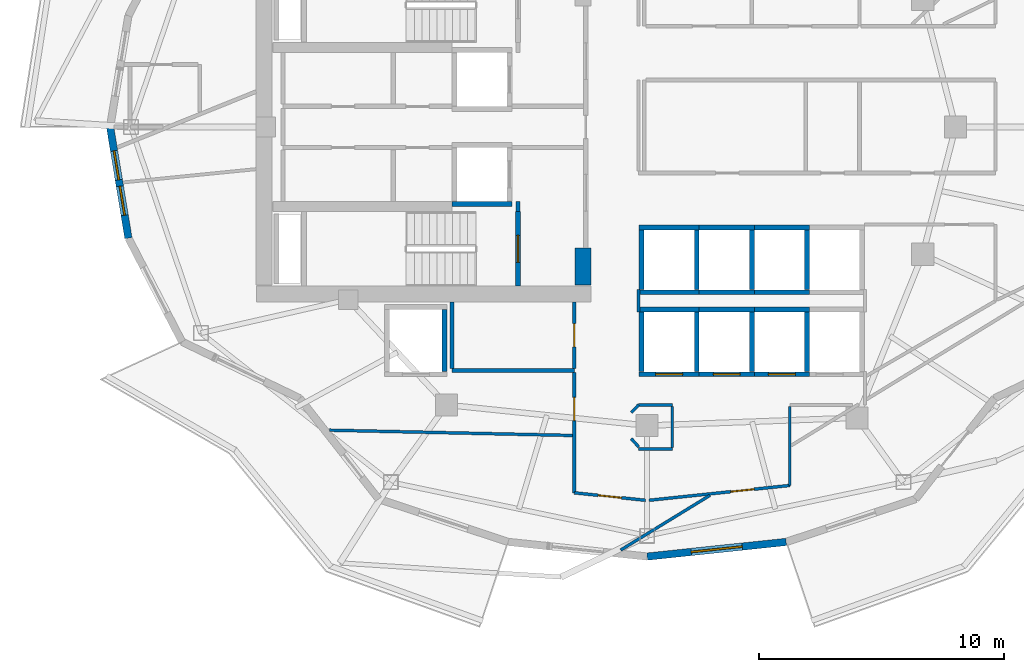
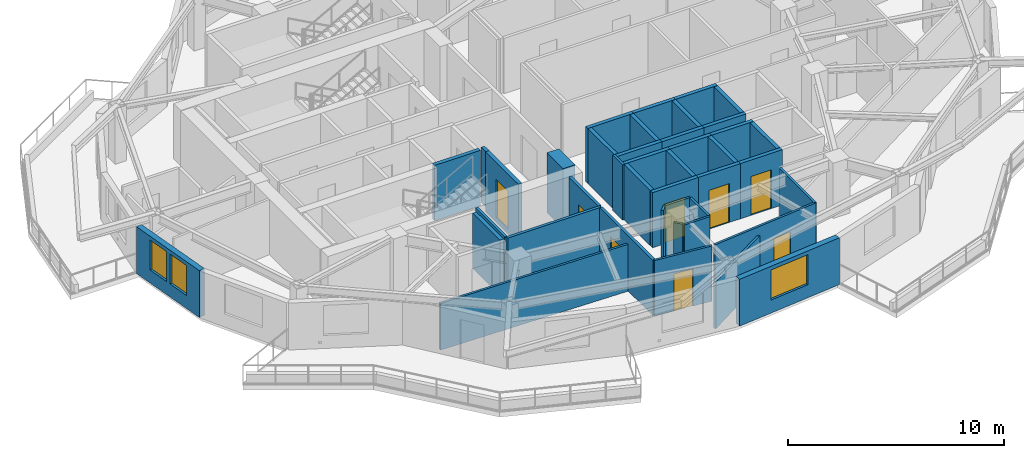
# One storey, part 3 of 10: 42 walls, 8 doors, 3 windows, 11 openings.
"""IFC4 building model written with IfcOpenShell, lengths in metres."""

from ifc_helpers import new_model, si_unit, direction, frame, frame_2d, origin, place, context, subcontext, project, spatial, rectangle, extrude, material, layer, layer_set, type_object, element, fill, save


model = new_model("IFC4")

# Units and contexts
model_context = context("Model", 3, precision=1e-05, world=origin(), true_north=direction((0.0, 1.0)))
body_context = subcontext(model_context, "Body", "Model", "MODEL_VIEW")
ifc_project = project(units=[si_unit("LENGTHUNIT", "METRE"), si_unit("AREAUNIT", "SQUARE_METRE"), si_unit("VOLUMEUNIT", "CUBIC_METRE"), si_unit("PLANEANGLEUNIT", "RADIAN"), si_unit("MASSUNIT", "GRAM", prefix="KILO")], contexts=[model_context])

# Site, building, storey
site_placement = place(None, origin())
site = spatial("IfcSite", under=ifc_project, at=site_placement, CompositionType="ELEMENT")
building_placement = place(site_placement, origin())
building = spatial("IfcBuilding", under=site, at=building_placement, Name="Kolvaren Gate Tower and Convention Centre", CompositionType="ELEMENT")
storey_placement = place(building_placement, frame((0.0, 0.0, 146.10009765625)))
storey = spatial("IfcBuildingStorey", under=building, at=storey_placement, Name="L37", CompositionType="ELEMENT", Elevation=146.10009765625)

# Walls
ifc_material_1 = material(Name="Autoclaved Aerated Masonry Blockwork Class 4 (4.0 MPa)", Category="masonry")
ifc_layer_1 = layer(ifc_material_1, 0.179931640625)
ifc_layer_set_1 = layer_set([ifc_layer_1], Name="Autoclaved Aerated Masonry Blockwork Class 4 (4.0 MPa)")
wall_type_1 = type_object("IfcWallType", Name="ARCH-WL-COMP-180", PredefinedType="SOLIDWALL", material=ifc_layer_set_1)
wall_1_placement = place(storey_placement, frame((24.85009765625, 23.5400390625, 0.0), z_axis=(0.0, 0.0, 1.0), x_axis=(0.0, 1.0, 0.0)))
element("IfcWall", 1, at=wall_1_placement, inside=storey, type_object=wall_type_1, Name="Interior Partition WL-L37-INT-001", PredefinedType="SOLIDWALL", context=body_context, shape_type="SweptSolid", body=[
    extrude(rectangle(XDim=0.419921875, YDim=0.179931640625, at=frame_2d((0.2099609375, 0.0))), origin(), (0.0, 0.0, 1.0), 3.1298828125),
])
ifc_material_2 = material(Name="Fire-Rated Acoustic Gypsum Stud Partition", Category="gypsum")
ifc_layer_2 = layer(ifc_material_2, 0.1201171875)
ifc_layer_set_2 = layer_set([ifc_layer_2], Name="Fire-Rated Acoustic Gypsum Stud Partition")
wall_type_2 = type_object("IfcWallType", Name="ARCH-WL-PART-120", PredefinedType="PARTITIONING", material=ifc_layer_set_2)
wall_2_placement = place(storey_placement, frame((29.780029296875, 15.64990234375, 0.0), z_axis=(0.0, 0.0, 1.0), x_axis=(1.0, 0.0, 0.0)))
element("IfcWall", 2, at=wall_2_placement, inside=storey, type_object=wall_type_2, Name="Interior Partition WL-L37-INT-024", PredefinedType="PARTITIONING", context=body_context, shape_type="SweptSolid", body=[
    extrude(rectangle(XDim=1.369873046875, YDim=0.1201171875, at=frame_2d((0.68505859375, 0.0))), origin(), (0.0, 0.0, 1.0), 3.1298828125),
])
wall_3_placement = place(storey_placement, frame((35.949951171875, 12.35595703125, 0.0), z_axis=(0.0, 0.0, 1.0), x_axis=(0.0, 1.0, 0.0)))
element("IfcWall", 3, at=wall_3_placement, inside=storey, type_object=wall_type_2, Name="Interior Partition WL-L37-INT-026", PredefinedType="PARTITIONING", context=body_context, shape_type="SweptSolid", body=[
    extrude(rectangle(XDim=3.23193359375, YDim=0.1201171875, at=frame_2d((1.615966796875, 0.0))), origin(), (0.0, 0.0, 1.0), 3.1298828125),
])

# Wall, opening, door
wall_4_placement = place(storey_placement, frame((30.195068359375, 11.75, 0.0), z_axis=(0.0, 0.0, 1.0), x_axis=(0.994502215954, 0.104715531139, 0.0)))
wall_4 = element("IfcWall", 4, at=wall_4_placement, inside=storey, type_object=wall_type_2, Name="Interior Partition WL-L37-INT-027", PredefinedType="PARTITIONING", context=body_context, shape_type="SweptSolid", body=[
    extrude(rectangle(XDim=5.78662109375, YDim=0.1201171875, at=frame_2d((2.893310546875, 0.0))), origin(), (0.0, 0.0, 1.0), 3.1298828125),
])
opening_1_placement = place(wall_4_placement, frame((3.369140625, 0.0, 0.0)))
opening_1 = element("IfcOpeningElement", 5, at=opening_1_placement, cuts=wall_4, Name="Opening DR-01", PredefinedType="OPENING", context=body_context, shape_type="SweptSolid", body=[
    extrude(rectangle(XDim=0.949951171875, YDim=2.10009765625, at=frame_2d((0.47509765625, 1.050048828125))), frame((0.0, 0.070068359375, 0.0), z_axis=(0.0, -1.0, 0.0), x_axis=(1.0, 0.0, 0.0)), (0.0, 0.0, 1.0), 0.14013671875),
])
ifc_material_3 = material(Name="Painted Architectural Steelwork ASTM A500 Grade C 345 MPa", Category="steel")
door_type_1 = type_object("IfcDoorType", Name="ARCH-DR-RISER-950", OperationType="SINGLE_SWING_RIGHT", PredefinedType="DOOR", material=ifc_material_3)
door_1_placement = place(opening_1_placement, origin())
door_1 = element("IfcDoor", 6, at=door_1_placement, inside=storey, type_object=door_type_1, Name="Banquet Catering Kitchen Door", OperationType="SINGLE_SWING_LEFT", OverallHeight=2.10009765625, OverallWidth=0.949951171875, PredefinedType="DOOR", context=body_context, shape_type="SweptSolid", body=[
    extrude(rectangle(XDim=0.949951171875, YDim=2.10009765625, at=frame_2d((0.47509765625, 1.050048828125))), frame((0.0, 0.02490234375, 0.0), z_axis=(0.0, -1.0, 0.0), x_axis=(1.0, 0.0, 0.0)), (0.0, 0.0, 1.0), 0.050048828125),
])
fill(opening_1, door_1)

wall_5_placement = place(storey_placement, frame((27.14990234375, 12.055908203125, 0.0), z_axis=(0.0, 0.0, 1.0), x_axis=(0.994501330468, -0.104723940422, 0.0)))
wall_5 = element("IfcWall", 7, at=wall_5_placement, inside=storey, type_object=wall_type_2, Name="Interior Partition WL-L37-INT-028", PredefinedType="PARTITIONING", context=body_context, shape_type="SweptSolid", body=[
    extrude(rectangle(XDim=2.921142578125, YDim=0.1201171875, at=frame_2d((1.46044921875, 0.0))), origin(), (0.0, 0.0, 1.0), 3.1298828125),
])
opening_2_placement = place(wall_5_placement, frame((0.985595703125, 0.0, 0.0)))
opening_2 = element("IfcOpeningElement", 8, at=opening_2_placement, cuts=wall_5, Name="Opening DR-01", PredefinedType="OPENING", context=body_context, shape_type="SweptSolid", body=[
    extrude(rectangle(XDim=0.949951171875, YDim=2.10009765625, at=frame_2d((0.47509765625, 1.050048828125))), frame((0.0, 0.070068359375, 0.0), z_axis=(0.0, -1.0, 0.0), x_axis=(1.0, 0.0, 0.0)), (0.0, 0.0, 1.0), 0.14013671875),
])
door_2_placement = place(opening_2_placement, origin())
door_2 = element("IfcDoor", 9, at=door_2_placement, inside=storey, type_object=door_type_1, Name="Banquet Tasting Pantry Door", OperationType="SINGLE_SWING_RIGHT", OverallHeight=2.10009765625, OverallWidth=0.949951171875, PredefinedType="DOOR", context=body_context, shape_type="SweptSolid", body=[
    extrude(rectangle(XDim=0.949951171875, YDim=2.10009765625, at=frame_2d((0.47509765625, 1.050048828125))), frame((0.0, 0.02490234375, 0.0), z_axis=(0.0, -1.0, 0.0), x_axis=(1.0, 0.0, 0.0)), (0.0, 0.0, 1.0), 0.050048828125),
])
fill(opening_2, door_2)

# Walls
wall_6_placement = place(storey_placement, frame((29.780029296875, 19.43994140625, 0.0), z_axis=(0.0, 0.0, 1.0), x_axis=(0.0, 1.0, 0.0)))
element("IfcWall", 10, at=wall_6_placement, inside=storey, type_object=wall_type_2, Name="Interior Partition WL-L37-INT-031", PredefinedType="PARTITIONING", context=body_context, shape_type="SweptSolid", body=[
    extrude(rectangle(XDim=0.920166015625, YDim=0.1201171875, at=frame_2d((0.4599609375, 0.0))), origin(), (0.0, 0.0, 1.0), 3.1298828125),
])
wall_7_placement = place(storey_placement, frame((29.47607421875, 15.3330078125, 0.0), z_axis=(0.0, 0.0, 1.0), x_axis=(0.692219273951, 0.721687243043, 0.0)))
element("IfcWall", 11, at=wall_7_placement, inside=storey, type_object=wall_type_2, Name="Interior Partition WL-L37-INT-047", PredefinedType="PARTITIONING", context=body_context, shape_type="SweptSolid", body=[
    extrude(rectangle(XDim=0.439208984375, YDim=0.1201171875, at=frame_2d((0.2197265625, 0.0))), origin(), (0.0, 0.0, 1.0), 3.1298828125),
])
wall_8_placement = place(storey_placement, frame((29.47607421875, 14.26708984375, 0.0), z_axis=(0.0, 0.0, 1.0), x_axis=(0.670659392016, -0.741765448037, 0.0)))
element("IfcWall", 12, at=wall_8_placement, inside=storey, type_object=wall_type_2, Name="Interior Partition WL-L37-INT-048", PredefinedType="PARTITIONING", context=body_context, shape_type="SweptSolid", body=[
    extrude(rectangle(XDim=0.453125, YDim=0.1201171875, at=frame_2d((0.2265625, 0.0))), origin(), (0.0, 0.0, 1.0), 3.1298828125),
])
wall_9_placement = place(storey_placement, frame((29.780029296875, 13.85009765625, 0.0), z_axis=(0.0, 0.0, 1.0), x_axis=(1.0, 0.0, 0.0)))
element("IfcWall", 13, at=wall_9_placement, inside=storey, type_object=wall_type_2, Name="Interior Partition WL-L37-INT-049", PredefinedType="PARTITIONING", context=body_context, shape_type="SweptSolid", body=[
    extrude(rectangle(XDim=1.369873046875, YDim=0.1201171875, at=frame_2d((0.68505859375, 0.0))), origin(), (0.0, 0.0, 1.0), 3.1298828125),
])
wall_10_placement = place(storey_placement, frame((31.14990234375, 13.912109375, 0.0), z_axis=(0.0, 0.0, 1.0), x_axis=(0.0, 1.0, 0.0)))
element("IfcWall", 14, at=wall_10_placement, inside=storey, type_object=wall_type_2, Name="Interior Partition WL-L37-INT-050", PredefinedType="PARTITIONING", context=body_context, shape_type="SweptSolid", body=[
    extrude(rectangle(XDim=1.67578125, YDim=0.1201171875, at=frame_2d((0.837890625, 0.0))), origin(), (0.0, 0.0, 1.0), 3.1298828125),
])
wall_11_placement = place(storey_placement, frame((17.147216796875, 14.614013671875, 0.0), z_axis=(0.0, 0.0, 1.0), x_axis=(0.99976262581, -0.021787428337, 0.0)))
element("IfcWall", 15, at=wall_11_placement, inside=storey, type_object=wall_type_2, Name="Interior Partition WL-L37-INT-053", PredefinedType="PARTITIONING", context=body_context, shape_type="SweptSolid", body=[
    extrude(rectangle(XDim=9.92822265625, YDim=0.1201171875, at=frame_2d((4.964111328125, 0.0))), origin(), (0.0, 0.0, 1.0), 2.65283203125),
])
wall_12_placement = place(storey_placement, frame((29.042724609375, 9.716796875, 0.0), z_axis=(0.0, 0.0, 1.0), x_axis=(0.85263162776, 0.522512494916, 0.0)))
element("IfcWall", 16, at=wall_12_placement, inside=storey, type_object=wall_type_2, Name="Interior Partition WL-L37-INT-054", PredefinedType="PARTITIONING", context=body_context, shape_type="SweptSolid", body=[
    extrude(rectangle(XDim=4.27392578125, YDim=0.1201171875, at=frame_2d((2.136962890625, 0.0))), origin(), (0.0, 0.0, 1.0), 2.65283203125),
])
ifc_layer_3 = layer(ifc_material_1, 0.199951171875)
ifc_layer_set_3 = layer_set([ifc_layer_3], Name="Autoclaved Aerated Masonry Blockwork Class 4 (4.0 MPa)")
wall_type_3 = type_object("IfcWallType", Name="ARCH-WL-SHAFT-200", PredefinedType="SOLIDWALL", material=ifc_layer_set_3)
wall_13_placement = place(storey_placement, frame((22.14990234375, 23.860107421875, 0.0), z_axis=(0.0, 0.0, 1.0), x_axis=(1.0, 0.0, 0.0)))
element("IfcWall", 17, at=wall_13_placement, inside=storey, type_object=wall_type_3, Name="Elevator FF-02 L37 Fire Shaft Wall S", PredefinedType="SOLIDWALL", context=body_context, shape_type="SweptSolid", body=[
    extrude(rectangle(XDim=2.4501953125, YDim=0.199951171875, at=frame_2d((1.22509765625, 0.0))), origin(), (0.0, 0.0, 1.0), 3.1298828125),
])
wall_14_placement = place(storey_placement, frame((21.85009765625, 17.010009765625, 0.0), z_axis=(0.0, 0.0, 1.0), x_axis=(0.0, 1.0, 0.0)))
element("IfcWall", 18, at=wall_14_placement, inside=storey, type_object=wall_type_3, Name="Elevator SV-01 L37 Fire Shaft Wall E", PredefinedType="SOLIDWALL", context=body_context, shape_type="SweptSolid", body=[
    extrude(rectangle(XDim=2.530029296875, YDim=0.199951171875, at=frame_2d((1.26513671875, 0.0))), origin(), (0.0, 0.0, 1.0), 3.1298828125),
])
wall_15_placement = place(storey_placement, frame((29.800048828125, 19.550048828125, 0.0), z_axis=(0.0, 0.0, 1.0), x_axis=(1.0, 0.0, 0.0)))
element("IfcWall", 19, at=wall_15_placement, inside=storey, type_object=wall_type_3, Name="Elevator PL-05 L37 Fire Shaft Wall N", PredefinedType="SOLIDWALL", context=body_context, shape_type="SweptSolid", body=[
    extrude(rectangle(XDim=2.449951171875, YDim=0.199951171875, at=frame_2d((1.22509765625, 0.0))), origin(), (0.0, 0.0, 1.0), 3.1298828125),
])

# Wall, opening, door
wall_16_placement = place(storey_placement, frame((29.800048828125, 16.89990234375, 0.0), z_axis=(0.0, 0.0, 1.0), x_axis=(1.0, 0.0, 0.0)))
wall_16 = element("IfcWall", 20, at=wall_16_placement, inside=storey, type_object=wall_type_3, Name="Elevator PL-05 L37 Fire Shaft Wall S", PredefinedType="SOLIDWALL", context=body_context, shape_type="SweptSolid", body=[
    extrude(rectangle(XDim=2.449951171875, YDim=0.199951171875, at=frame_2d((1.22509765625, 0.0))), origin(), (0.0, 0.0, 1.0), 3.1298828125),
])
opening_3_placement = place(wall_16_placement, frame((0.675048828125, 0.0, 0.0)))
opening_3 = element("IfcOpeningElement", 21, at=opening_3_placement, cuts=wall_16, Name="Opening LD", PredefinedType="OPENING", context=body_context, shape_type="SweptSolid", body=[
    extrude(rectangle(XDim=1.10009765625, YDim=2.199951171875, at=frame_2d((0.550048828125, 1.10009765625))), frame((0.0, 0.10986328125, 0.0), z_axis=(0.0, -1.0, 0.0), x_axis=(1.0, 0.0, 0.0)), (0.0, 0.0, 1.0), 0.219970703125),
])
ifc_material_4 = material(Name="Brushed Stainless Steel Grade 316L", Category="steel")
door_type_2 = type_object("IfcDoorType", Name="ARCH-DR-LIFT-1100", OperationType="SLIDING_TO_LEFT", PredefinedType="DOOR", material=ifc_material_4)
door_3_placement = place(opening_3_placement, origin())
door_3 = element("IfcDoor", 22, at=door_3_placement, inside=storey, type_object=door_type_2, Name="Elevator PL-05 L37 Sliding Landing Door", OperationType="SLIDING_TO_LEFT", OverallHeight=2.199951171875, OverallWidth=1.10009765625, PredefinedType="DOOR", context=body_context, shape_type="SweptSolid", body=[
    extrude(rectangle(XDim=1.10009765625, YDim=2.199951171875, at=frame_2d((0.550048828125, 1.10009765625))), frame((0.0, 0.02490234375, 0.0), z_axis=(0.0, -1.0, 0.0), x_axis=(1.0, 0.0, 0.0)), (0.0, 0.0, 1.0), 0.050048828125),
])
fill(opening_3, door_3)

# Walls
for number, where, z_axis, x_axis, name in (
    (23, (29.89990234375, 17.010009765625, 0.0), (0.0, 0.0, 1.0), (0.0, 1.0, 0.0), "Elevator PL-05 L37 Fire Shaft Wall W"),
    (24, (32.14990234375, 17.010009765625, 0.0), (0.0, 0.0, 1.0), (0.0, 1.0, 0.0), "Elevator PL-05 L37 Fire Shaft Wall E"),
):
    element("IfcWall", number, at=place(storey_placement, frame(where, z_axis=z_axis, x_axis=x_axis)), inside=storey, type_object=wall_type_3, Name=name, PredefinedType="SOLIDWALL", context=body_context, shape_type="SweptSolid", body=[
        extrude(rectangle(XDim=2.429931640625, YDim=0.199951171875, at=frame_2d((1.21484375, 0.0))), origin(), (0.0, 0.0, 1.0), 3.1298828125),
    ])
wall_17_placement = place(storey_placement, frame((32.25, 19.550048828125, 0.0), z_axis=(0.0, 0.0, 1.0), x_axis=(1.0, 0.0, 0.0)))
element("IfcWall", 25, at=wall_17_placement, inside=storey, type_object=wall_type_3, Name="Elevator PL-06 L37 Fire Shaft Wall N", PredefinedType="SOLIDWALL", context=body_context, shape_type="SweptSolid", body=[
    extrude(rectangle(XDim=2.25, YDim=0.199951171875, at=frame_2d((1.125, 0.0))), origin(), (0.0, 0.0, 1.0), 3.1298828125),
])

# Wall, opening, door
wall_18_placement = place(storey_placement, frame((32.25, 16.89990234375, 0.0), z_axis=(0.0, 0.0, 1.0), x_axis=(1.0, 0.0, 0.0)))
wall_18 = element("IfcWall", 26, at=wall_18_placement, inside=storey, type_object=wall_type_3, Name="Elevator PL-06 L37 Fire Shaft Wall S", PredefinedType="SOLIDWALL", context=body_context, shape_type="SweptSolid", body=[
    extrude(rectangle(XDim=2.25, YDim=0.199951171875, at=frame_2d((1.125, 0.0))), origin(), (0.0, 0.0, 1.0), 3.1298828125),
])
opening_4_placement = place(wall_18_placement, frame((0.574951171875, 0.0, 0.0)))
opening_4 = element("IfcOpeningElement", 27, at=opening_4_placement, cuts=wall_18, Name="Opening LD", PredefinedType="OPENING", context=body_context, shape_type="SweptSolid", body=[
    extrude(rectangle(XDim=1.10009765625, YDim=2.199951171875, at=frame_2d((0.550048828125, 1.10009765625))), frame((0.0, 0.10986328125, 0.0), z_axis=(0.0, -1.0, 0.0), x_axis=(1.0, 0.0, 0.0)), (0.0, 0.0, 1.0), 0.219970703125),
])
door_4_placement = place(opening_4_placement, origin())
door_4 = element("IfcDoor", 28, at=door_4_placement, inside=storey, type_object=door_type_2, Name="Elevator PL-06 L37 Sliding Landing Door", OperationType="SLIDING_TO_LEFT", OverallHeight=2.199951171875, OverallWidth=1.10009765625, PredefinedType="DOOR", context=body_context, shape_type="SweptSolid", body=[
    extrude(rectangle(XDim=1.10009765625, YDim=2.199951171875, at=frame_2d((0.550048828125, 1.10009765625))), frame((0.0, 0.02490234375, 0.0), z_axis=(0.0, -1.0, 0.0), x_axis=(1.0, 0.0, 0.0)), (0.0, 0.0, 1.0), 0.050048828125),
])
fill(opening_4, door_4)

# Walls
wall_19_placement = place(storey_placement, frame((34.39990234375, 17.010009765625, 0.0), z_axis=(0.0, 0.0, 1.0), x_axis=(0.0, 1.0, 0.0)))
element("IfcWall", 29, at=wall_19_placement, inside=storey, type_object=wall_type_3, Name="Elevator PL-06 L37 Fire Shaft Wall E", PredefinedType="SOLIDWALL", context=body_context, shape_type="SweptSolid", body=[
    extrude(rectangle(XDim=2.429931640625, YDim=0.199951171875, at=frame_2d((1.21484375, 0.0))), origin(), (0.0, 0.0, 1.0), 3.1298828125),
])
wall_20_placement = place(storey_placement, frame((34.5, 19.550048828125, 0.0), z_axis=(0.0, 0.0, 1.0), x_axis=(1.0, 0.0, 0.0)))
element("IfcWall", 30, at=wall_20_placement, inside=storey, type_object=wall_type_3, Name="Elevator PL-07 L37 Fire Shaft Wall N", PredefinedType="SOLIDWALL", context=body_context, shape_type="SweptSolid", body=[
    extrude(rectangle(XDim=2.25, YDim=0.199951171875, at=frame_2d((1.125, 0.0))), origin(), (0.0, 0.0, 1.0), 3.1298828125),
])

# Wall, opening, door
wall_21_placement = place(storey_placement, frame((34.5, 16.89990234375, 0.0), z_axis=(0.0, 0.0, 1.0), x_axis=(1.0, 0.0, 0.0)))
wall_21 = element("IfcWall", 31, at=wall_21_placement, inside=storey, type_object=wall_type_3, Name="Elevator PL-07 L37 Fire Shaft Wall S", PredefinedType="SOLIDWALL", context=body_context, shape_type="SweptSolid", body=[
    extrude(rectangle(XDim=2.25, YDim=0.199951171875, at=frame_2d((1.125, 0.0))), origin(), (0.0, 0.0, 1.0), 3.1298828125),
])
opening_5_placement = place(wall_21_placement, frame((0.574951171875, 0.0, 0.0)))
opening_5 = element("IfcOpeningElement", 32, at=opening_5_placement, cuts=wall_21, Name="Opening LD", PredefinedType="OPENING", context=body_context, shape_type="SweptSolid", body=[
    extrude(rectangle(XDim=1.10009765625, YDim=2.199951171875, at=frame_2d((0.550048828125, 1.10009765625))), frame((0.0, 0.10986328125, 0.0), z_axis=(0.0, -1.0, 0.0), x_axis=(1.0, 0.0, 0.0)), (0.0, 0.0, 1.0), 0.219970703125),
])
door_5_placement = place(opening_5_placement, origin())
door_5 = element("IfcDoor", 33, at=door_5_placement, inside=storey, type_object=door_type_2, Name="Elevator PL-07 L37 Sliding Landing Door", OperationType="SLIDING_TO_LEFT", OverallHeight=2.199951171875, OverallWidth=1.10009765625, PredefinedType="DOOR", context=body_context, shape_type="SweptSolid", body=[
    extrude(rectangle(XDim=1.10009765625, YDim=2.199951171875, at=frame_2d((0.550048828125, 1.10009765625))), frame((0.0, 0.02490234375, 0.0), z_axis=(0.0, -1.0, 0.0), x_axis=(1.0, 0.0, 0.0)), (0.0, 0.0, 1.0), 0.050048828125),
])
fill(opening_5, door_5)

# Walls
wall_22_placement = place(storey_placement, frame((36.64990234375, 17.010009765625, 0.0), z_axis=(0.0, 0.0, 1.0), x_axis=(0.0, 1.0, 0.0)))
element("IfcWall", 34, at=wall_22_placement, inside=storey, type_object=wall_type_3, Name="Elevator PL-07 L37 Fire Shaft Wall E", PredefinedType="SOLIDWALL", context=body_context, shape_type="SweptSolid", body=[
    extrude(rectangle(XDim=2.429931640625, YDim=0.199951171875, at=frame_2d((1.21484375, 0.0))), origin(), (0.0, 0.0, 1.0), 3.1298828125),
])
for number, where, z_axis, x_axis, name in (
    (35, (29.800048828125, 22.89990234375, 0.0), (0.0, 0.0, 1.0), (1.0, 0.0, 0.0), "Elevator PL-09 L37 Fire Shaft Wall N"),
    (36, (29.800048828125, 20.25, 0.0), (0.0, 0.0, 1.0), (1.0, 0.0, 0.0), "Elevator PL-09 L37 Fire Shaft Wall S"),
):
    element("IfcWall", number, at=place(storey_placement, frame(where, z_axis=z_axis, x_axis=x_axis)), inside=storey, type_object=wall_type_3, Name=name, PredefinedType="SOLIDWALL", context=body_context, shape_type="SweptSolid", body=[
        extrude(rectangle(XDim=2.449951171875, YDim=0.199951171875, at=frame_2d((1.22509765625, 0.0))), origin(), (0.0, 0.0, 1.0), 3.1298828125),
    ])
for number, where, z_axis, x_axis, name in (
    (37, (29.89990234375, 20.360107421875, 0.0), (0.0, 0.0, 1.0), (0.0, 1.0, 0.0), "Elevator PL-09 L37 Fire Shaft Wall W"),
    (38, (32.14990234375, 20.360107421875, 0.0), (0.0, 0.0, 1.0), (0.0, 1.0, 0.0), "Elevator PL-09 L37 Fire Shaft Wall E"),
):
    element("IfcWall", number, at=place(storey_placement, frame(where, z_axis=z_axis, x_axis=x_axis)), inside=storey, type_object=wall_type_3, Name=name, PredefinedType="SOLIDWALL", context=body_context, shape_type="SweptSolid", body=[
        extrude(rectangle(XDim=2.429931640625, YDim=0.199951171875, at=frame_2d((1.21484375, 0.0))), origin(), (0.0, 0.0, 1.0), 3.1298828125),
    ])
for number, where, z_axis, x_axis, name in (
    (39, (32.25, 22.89990234375, 0.0), (0.0, 0.0, 1.0), (1.0, 0.0, 0.0), "Elevator PL-10 L37 Fire Shaft Wall N"),
    (40, (32.25, 20.25, 0.0), (0.0, 0.0, 1.0), (1.0, 0.0, 0.0), "Elevator PL-10 L37 Fire Shaft Wall S"),
):
    element("IfcWall", number, at=place(storey_placement, frame(where, z_axis=z_axis, x_axis=x_axis)), inside=storey, type_object=wall_type_3, Name=name, PredefinedType="SOLIDWALL", context=body_context, shape_type="SweptSolid", body=[
        extrude(rectangle(XDim=2.25, YDim=0.199951171875, at=frame_2d((1.125, 0.0))), origin(), (0.0, 0.0, 1.0), 3.1298828125),
    ])
wall_23_placement = place(storey_placement, frame((34.39990234375, 20.360107421875, 0.0), z_axis=(0.0, 0.0, 1.0), x_axis=(0.0, 1.0, 0.0)))
element("IfcWall", 41, at=wall_23_placement, inside=storey, type_object=wall_type_3, Name="Elevator PL-10 L37 Fire Shaft Wall E", PredefinedType="SOLIDWALL", context=body_context, shape_type="SweptSolid", body=[
    extrude(rectangle(XDim=2.429931640625, YDim=0.199951171875, at=frame_2d((1.21484375, 0.0))), origin(), (0.0, 0.0, 1.0), 3.1298828125),
])
for number, where, z_axis, x_axis, name in (
    (42, (34.5, 22.89990234375, 0.0), (0.0, 0.0, 1.0), (1.0, 0.0, 0.0), "Elevator PL-11 L37 Fire Shaft Wall N"),
    (43, (34.5, 20.25, 0.0), (0.0, 0.0, 1.0), (1.0, 0.0, 0.0), "Elevator PL-11 L37 Fire Shaft Wall S"),
):
    element("IfcWall", number, at=place(storey_placement, frame(where, z_axis=z_axis, x_axis=x_axis)), inside=storey, type_object=wall_type_3, Name=name, PredefinedType="SOLIDWALL", context=body_context, shape_type="SweptSolid", body=[
        extrude(rectangle(XDim=2.25, YDim=0.199951171875, at=frame_2d((1.125, 0.0))), origin(), (0.0, 0.0, 1.0), 3.1298828125),
    ])
wall_24_placement = place(storey_placement, frame((36.64990234375, 20.360107421875, 0.0), z_axis=(0.0, 0.0, 1.0), x_axis=(0.0, 1.0, 0.0)))
element("IfcWall", 44, at=wall_24_placement, inside=storey, type_object=wall_type_3, Name="Elevator PL-11 L37 Fire Shaft Wall E", PredefinedType="SOLIDWALL", context=body_context, shape_type="SweptSolid", body=[
    extrude(rectangle(XDim=2.429931640625, YDim=0.199951171875, at=frame_2d((1.21484375, 0.0))), origin(), (0.0, 0.0, 1.0), 3.1298828125),
])

# Wall, openings, windows
ifc_material_5 = material(Name="Piedmont Cream Honed Limestone Cladding", Category="masonry")
ifc_layer_4 = layer(ifc_material_5, 0.300048828125)
ifc_layer_set_4 = layer_set([ifc_layer_4], Name="Piedmont Cream Honed Limestone Cladding")
wall_type_4 = type_object("IfcWallType", Name="ARCH-WL-STONE-300", PredefinedType="SOLIDWALL", material=ifc_layer_set_4)
wall_25_placement = place(storey_placement, frame((8.1875, 27.0, 0.0), z_axis=(0.0, 0.0, 1.0), x_axis=(0.162394765401, -0.986725868806, 0.0)))
wall_25 = element("IfcWall", 45, at=wall_25_placement, inside=storey, type_object=wall_type_4, Name="Tower L37 Honed Stone Spandrel Wall EW-12", PredefinedType="SOLIDWALL", context=body_context, shape_type="SweptSolid", body=[
    extrude(rectangle(XDim=4.603271484375, YDim=0.300048828125, at=frame_2d((2.3017578125, 0.0))), origin(), (0.0, 0.0, 1.0), 2.65283203125),
])
opening_6_placement = place(wall_25_placement, frame((0.990234375, 0.0, 0.739990234375)))
opening_6 = element("IfcOpeningElement", 46, at=opening_6_placement, cuts=wall_25, Name="Opening W-04", PredefinedType="OPENING", context=body_context, shape_type="SweptSolid", body=[
    extrude(rectangle(XDim=1.199951171875, YDim=1.699951171875, at=frame_2d((0.60009765625, 0.85009765625))), frame((0.0, 0.159912109375, 0.0), z_axis=(0.0, -1.0, 0.0), x_axis=(1.0, 0.0, 0.0)), (0.0, 0.0, 1.0), 0.320068359375),
])
opening_7_placement = place(wall_25_placement, frame((2.454345703125, 0.0, 0.739990234375)))
opening_7 = element("IfcOpeningElement", 47, at=opening_7_placement, cuts=wall_25, Name="Opening W-04", PredefinedType="OPENING", context=body_context, shape_type="SweptSolid", body=[
    extrude(rectangle(XDim=1.199951171875, YDim=1.699951171875, at=frame_2d((0.60009765625, 0.85009765625))), frame((0.0, 0.159912109375, 0.0), z_axis=(0.0, -1.0, 0.0), x_axis=(1.0, 0.0, 0.0)), (0.0, 0.0, 1.0), 0.320068359375),
])
ifc_material_6 = material(Name="Low-E Triple Insulated Glazing Unit 44 mm", Category="glass")
window_type_1 = type_object("IfcWindowType", Name="ARCH-WN-NARROW-1200", PartitioningType="SINGLE_PANEL", PredefinedType="WINDOW", material=ifc_material_6)
window_1_placement = place(opening_6_placement, origin())
window_1 = element("IfcWindow", 48, at=window_1_placement, inside=storey, type_object=window_type_1, Name="Tower L37 Punched Stone Facade Window W-12", OverallHeight=1.699951171875, OverallWidth=1.199951171875, PartitioningType="SINGLE_PANEL", PredefinedType="WINDOW", context=body_context, shape_type="SweptSolid", body=[
    extrude(rectangle(XDim=1.199951171875, YDim=1.699951171875, at=frame_2d((0.60009765625, 0.85009765625))), frame((0.0, 0.030029296875, 0.0), z_axis=(0.0, -1.0, 0.0), x_axis=(1.0, 0.0, 0.0)), (0.0, 0.0, 1.0), 0.06005859375),
])
fill(opening_6, window_1)
window_2_placement = place(opening_7_placement, origin())
window_2 = element("IfcWindow", 49, at=window_2_placement, inside=storey, type_object=window_type_1, Name="Tower L37 Punched Stone Facade Window W-12B", OverallHeight=1.699951171875, OverallWidth=1.199951171875, PartitioningType="SINGLE_PANEL", PredefinedType="WINDOW", context=body_context, shape_type="SweptSolid", body=[
    extrude(rectangle(XDim=1.199951171875, YDim=1.699951171875, at=frame_2d((0.60009765625, 0.85009765625))), frame((0.0, 0.030029296875, 0.0), z_axis=(0.0, -1.0, 0.0), x_axis=(1.0, 0.0, 0.0)), (0.0, 0.0, 1.0), 0.06005859375),
])
fill(opening_7, window_2)

# Wall, opening, window
wall_26_placement = place(storey_placement, frame((30.125, 9.449951171875, 0.0), z_axis=(0.0, 0.0, 1.0), x_axis=(0.994496545245, 0.104769372887, 0.0)))
wall_26 = element("IfcWall", 50, at=wall_26_placement, inside=storey, type_object=wall_type_4, Name="Tower L37 Honed Stone Spandrel Wall EW-18", PredefinedType="SOLIDWALL", context=body_context, shape_type="SweptSolid", body=[
    extrude(rectangle(XDim=5.709228515625, YDim=0.300048828125, at=frame_2d((2.8544921875, 0.0))), origin(), (0.0, 0.0, 1.0), 2.65283203125),
])
opening_8_placement = place(wall_26_placement, frame((1.804931640625, 0.0, 0.739990234375)))
opening_8 = element("IfcOpeningElement", 51, at=opening_8_placement, cuts=wall_26, Name="Opening W-02", PredefinedType="OPENING", context=body_context, shape_type="SweptSolid", body=[
    extrude(rectangle(XDim=2.10009765625, YDim=1.699951171875, at=frame_2d((1.050048828125, 0.85009765625))), frame((0.0, 0.159912109375, 0.0), z_axis=(0.0, -1.0, 0.0), x_axis=(1.0, 0.0, 0.0)), (0.0, 0.0, 1.0), 0.320068359375),
])
window_type_2 = type_object("IfcWindowType", Name="ARCH-WN-HTL-2100", PartitioningType="SINGLE_PANEL", PredefinedType="WINDOW", material=ifc_material_6)
window_3_placement = place(opening_8_placement, origin())
window_3 = element("IfcWindow", 52, at=window_3_placement, inside=storey, type_object=window_type_2, Name="Tower L37 Punched Stone Facade Window W-18", OverallHeight=1.699951171875, OverallWidth=2.10009765625, PartitioningType="SINGLE_PANEL", PredefinedType="WINDOW", context=body_context, shape_type="SweptSolid", body=[
    extrude(rectangle(XDim=2.10009765625, YDim=1.699951171875, at=frame_2d((1.050048828125, 0.85009765625))), frame((0.0, 0.030029296875, 0.0), z_axis=(0.0, -1.0, 0.0), x_axis=(1.0, 0.0, 0.0)), (0.0, 0.0, 1.0), 0.06005859375),
])
fill(opening_8, window_3)

# Walls
ifc_material_7 = material(Name="Moisture-Resistant Cement-Board Acoustic Partition", Category="gypsum")
ifc_layer_5 = layer(ifc_material_7, 0.14990234375)
ifc_layer_set_5 = layer_set([ifc_layer_5], Name="Moisture-Resistant Cement-Board Acoustic Partition")
wall_type_5 = type_object("IfcWallType", Name="ARCH-WL-WET-150", PredefinedType="PARTITIONING", material=ifc_layer_set_5)
wall_27_placement = place(storey_placement, frame((22.14990234375, 17.050048828125, 0.0), z_axis=(0.0, 0.0, 1.0), x_axis=(1.0, 0.0, 0.0)))
element("IfcWall", 53, at=wall_27_placement, inside=storey, type_object=wall_type_5, Name="Interior Partition WL-L37-INT-009", PredefinedType="PARTITIONING", context=body_context, shape_type="SweptSolid", body=[
    extrude(rectangle(XDim=5.0, YDim=0.14990234375, at=frame_2d((2.5, 0.0))), origin(), (0.0, 0.0, 1.0), 3.1298828125),
])
wall_28_placement = place(storey_placement, frame((22.14990234375, 17.126953125, 0.0), z_axis=(0.0, 0.0, 1.0), x_axis=(0.0, 1.0, 0.0)))
element("IfcWall", 54, at=wall_28_placement, inside=storey, type_object=wall_type_5, Name="Interior Partition WL-L37-INT-010", PredefinedType="PARTITIONING", context=body_context, shape_type="SweptSolid", body=[
    extrude(rectangle(XDim=2.720947265625, YDim=0.14990234375, at=frame_2d((1.3603515625, 0.0))), origin(), (0.0, 0.0, 1.0), 3.1298828125),
])

# Wall, opening, door
wall_29_placement = place(storey_placement, frame((27.14990234375, 12.055908203125, 0.0), z_axis=(0.0, 0.0, 1.0), x_axis=(0.0, 1.0, 0.0)))
wall_29 = element("IfcWall", 55, at=wall_29_placement, inside=storey, type_object=wall_type_5, Name="Interior Partition WL-L37-INT-011", PredefinedType="PARTITIONING", context=body_context, shape_type="SweptSolid", body=[
    extrude(rectangle(XDim=4.9169921875, YDim=0.14990234375, at=frame_2d((2.45849609375, 0.0))), origin(), (0.0, 0.0, 1.0), 3.1298828125),
])
opening_9_placement = place(wall_29_placement, frame((2.948486328125, 0.0, 0.0)))
opening_9 = element("IfcOpeningElement", 56, at=opening_9_placement, cuts=wall_29, Name="Opening DR-01", PredefinedType="OPENING", context=body_context, shape_type="SweptSolid", body=[
    extrude(rectangle(XDim=0.949951171875, YDim=2.10009765625, at=frame_2d((0.47509765625, 1.050048828125))), frame((0.0, 0.0849609375, 0.0), z_axis=(0.0, -1.0, 0.0), x_axis=(1.0, 0.0, 0.0)), (0.0, 0.0, 1.0), 0.169921875),
])
door_6_placement = place(opening_9_placement, origin())
door_6 = element("IfcDoor", 57, at=door_6_placement, inside=storey, type_object=door_type_1, Name="Banquet Catering Kitchen Door", OperationType="SINGLE_SWING_LEFT", OverallHeight=2.10009765625, OverallWidth=0.949951171875, PredefinedType="DOOR", context=body_context, shape_type="SweptSolid", body=[
    extrude(rectangle(XDim=0.949951171875, YDim=2.10009765625, at=frame_2d((0.47509765625, 1.050048828125))), frame((0.0, 0.02490234375, 0.0), z_axis=(0.0, -1.0, 0.0), x_axis=(1.0, 0.0, 0.0)), (0.0, 0.0, 1.0), 0.050048828125),
])
fill(opening_9, door_6)

wall_30_placement = place(storey_placement, frame((27.14990234375, 17.126953125, 0.0), z_axis=(0.0, 0.0, 1.0), x_axis=(0.0, 1.0, 0.0)))
wall_30 = element("IfcWall", 58, at=wall_30_placement, inside=storey, type_object=wall_type_5, Name="Interior Partition WL-L37-INT-011 (2)", PredefinedType="PARTITIONING", context=body_context, shape_type="SweptSolid", body=[
    extrude(rectangle(XDim=2.720947265625, YDim=0.14990234375, at=frame_2d((1.3603515625, 0.0))), origin(), (0.0, 0.0, 1.0), 3.1298828125),
])
opening_10_placement = place(wall_30_placement, frame((0.885498046875, 0.0, 0.0)))
opening_10 = element("IfcOpeningElement", 59, at=opening_10_placement, cuts=wall_30, Name="Opening DR-01", PredefinedType="OPENING", context=body_context, shape_type="SweptSolid", body=[
    extrude(rectangle(XDim=0.949951171875, YDim=2.10009765625, at=frame_2d((0.47509765625, 1.050048828125))), frame((0.0, 0.0849609375, 0.0), z_axis=(0.0, -1.0, 0.0), x_axis=(1.0, 0.0, 0.0)), (0.0, 0.0, 1.0), 0.169921875),
])
door_7_placement = place(opening_10_placement, origin())
door_7 = element("IfcDoor", 60, at=door_7_placement, inside=storey, type_object=door_type_1, Name="West Linen and Supply Store Door", OperationType="SINGLE_SWING_RIGHT", OverallHeight=2.10009765625, OverallWidth=0.949951171875, PredefinedType="DOOR", context=body_context, shape_type="SweptSolid", body=[
    extrude(rectangle(XDim=0.949951171875, YDim=2.10009765625, at=frame_2d((0.47509765625, 1.050048828125))), frame((0.0, 0.02490234375, 0.0), z_axis=(0.0, -1.0, 0.0), x_axis=(1.0, 0.0, 0.0)), (0.0, 0.0, 1.0), 0.050048828125),
])
fill(opening_10, door_7)

# Wall
ifc_material_8 = material(Name="Concrete C60/75", Category="concrete")
ifc_layer_6 = layer(ifc_material_8, 0.64990234375)
ifc_layer_set_6 = layer_set([ifc_layer_6], Name="Concrete C60/75")
wall_type_6 = type_object("IfcWallType", Name="STR-WL-CORE-650", PredefinedType="SHEAR", material=ifc_layer_set_6)
wall_31_placement = place(storey_placement, frame((27.5, 20.550048828125, -0.27001953125), z_axis=(0.0, 0.0, 1.0), x_axis=(0.0, 1.0, 0.0)))
element("IfcWall", 61, at=wall_31_placement, inside=storey, type_object=wall_type_6, Name="Tower L37 Offset Core Shear Wall ES", PredefinedType="SHEAR", context=body_context, shape_type="SweptSolid", body=[
    extrude(rectangle(XDim=1.5, YDim=0.64990234375, at=frame_2d((0.75, 0.0))), origin(), (0.0, 0.0, 1.0), 3.39990234375),
])

# Wall, opening, door
ifc_material_9 = material(Name="Concrete C50/60", Category="concrete")
ifc_layer_7 = layer(ifc_material_9, 0.199951171875)
ifc_layer_set_7 = layer_set([ifc_layer_7], Name="Concrete C50/60")
wall_type_7 = type_object("IfcWallType", Name="STR-WL-SHAFT-200", PredefinedType="SHEAR", material=ifc_layer_set_7)
wall_32_placement = place(storey_placement, frame((24.85009765625, 20.501953125, -0.27001953125), z_axis=(0.0, 0.0, 1.0), x_axis=(0.0, 1.0, 0.0)))
wall_32 = element("IfcWall", 62, at=wall_32_placement, inside=storey, type_object=wall_type_7, Name="Tower South Exit Stair ST-T2 L37 Structural Shear Enclosure Wall NEAR", PredefinedType="SHEAR", context=body_context, shape_type="SweptSolid", body=[
    extrude(rectangle(XDim=3.0380859375, YDim=0.199951171875, at=frame_2d((1.51904296875, 0.0))), origin(), (0.0, 0.0, 1.0), 3.39990234375),
])
opening_11_placement = place(wall_32_placement, frame((0.968994140625, 0.0, 0.27001953125)))
opening_11 = element("IfcOpeningElement", 63, at=opening_11_placement, cuts=wall_32, Name="Opening DS-01", PredefinedType="OPENING", context=body_context, shape_type="SweptSolid", body=[
    extrude(rectangle(XDim=1.10009765625, YDim=2.14990234375, at=frame_2d((0.550048828125, 1.074951171875))), frame((0.0, 0.10986328125, 0.0), z_axis=(0.0, -1.0, 0.0), x_axis=(1.0, 0.0, 0.0)), (0.0, 0.0, 1.0), 0.219970703125),
])
door_type_3 = type_object("IfcDoorType", Name="ARCH-DR-STAIR-1100", OperationType="SINGLE_SWING_LEFT", PredefinedType="DOOR", material=ifc_material_3)
door_8_placement = place(opening_11_placement, origin())
door_8 = element("IfcDoor", 64, at=door_8_placement, inside=storey, type_object=door_type_3, Name="Tower South Exit Stair ST-T2 L37 Fire Exit Stair Door", OperationType="SINGLE_SWING_LEFT", OverallHeight=2.14990234375, OverallWidth=1.10009765625, PredefinedType="DOOR", context=body_context, shape_type="SweptSolid", body=[
    extrude(rectangle(XDim=1.10009765625, YDim=2.14990234375, at=frame_2d((0.550048828125, 1.074951171875))), frame((0.0, 0.02490234375, 0.0), z_axis=(0.0, -1.0, 0.0), x_axis=(1.0, 0.0, 0.0)), (0.0, 0.0, 1.0), 0.050048828125),
])
fill(opening_11, door_8)

save(model, "model.ifc")
